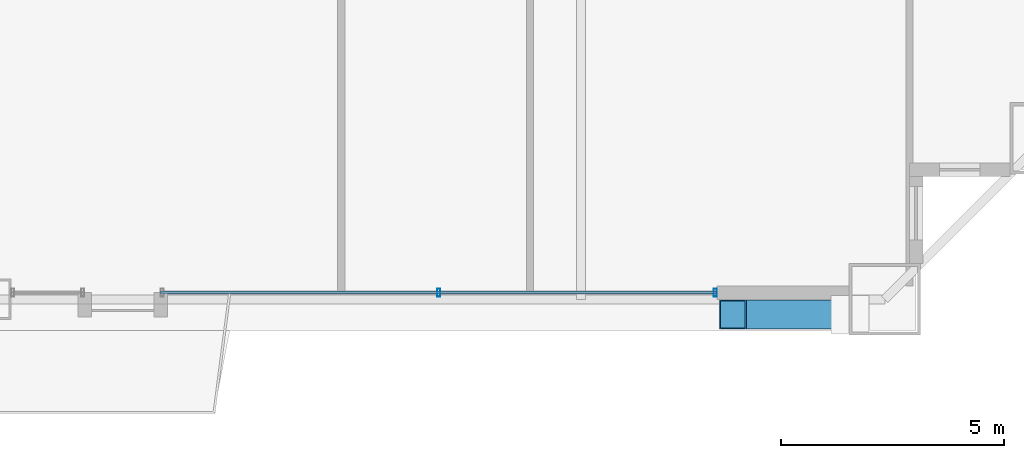
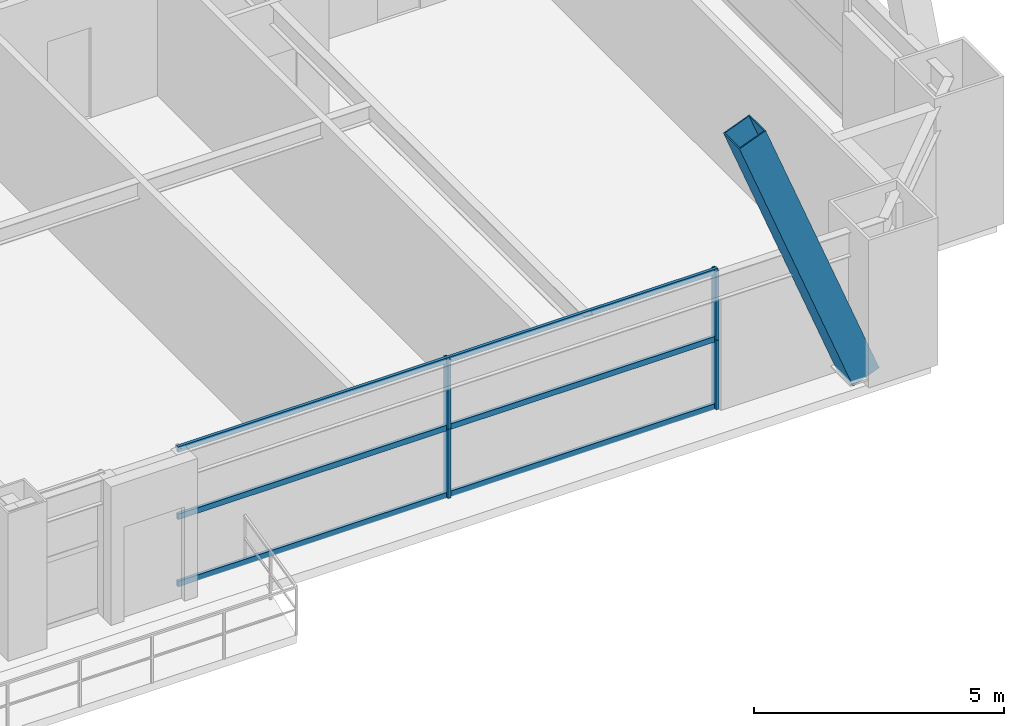
# One storey, part 15 of 41: 8 members, 1 element without a shape of its own.
"""IFC4 building model written with IfcOpenShell, lengths in metres."""

from ifc_helpers import new_model, si_unit, direction, frame, origin, origin_2d, place, context, subcontext, project, spatial, hollow_rectangle, extrude, source, transform, mapped, material, layer, layer_set, material_profile, profile_set, type_object, element, aggregate, save


model = new_model("IFC4")

# Units and contexts
model_context = context("Model", 3, precision=1e-05, world=origin(), true_north=direction((0.0, 1.0)))
body_context = subcontext(model_context, "Body", "Model", "MODEL_VIEW")
ifc_project = project(units=[si_unit("LENGTHUNIT", "METRE"), si_unit("AREAUNIT", "SQUARE_METRE"), si_unit("VOLUMEUNIT", "CUBIC_METRE"), si_unit("PLANEANGLEUNIT", "RADIAN"), si_unit("MASSUNIT", "GRAM", prefix="KILO"), si_unit("THERMODYNAMICTEMPERATUREUNIT", "KELVIN"), si_unit("POWERUNIT", "WATT")], contexts=[model_context])

# Site, building, storey
site_placement = place(None, origin())
site = spatial("IfcSite", under=ifc_project, at=site_placement, CompositionType="ELEMENT")
building_placement = place(site_placement, origin())
building = spatial("IfcBuilding", under=site, at=building_placement, Name="Yuzanri Waterfront Tower", CompositionType="ELEMENT")
storey_placement = place(building_placement, frame((0.0, 0.0, 152.39990234375)))
storey = spatial("IfcBuildingStorey", under=building, at=storey_placement, Name="L40", CompositionType="ELEMENT", Elevation=152.39990234375)

# Member
ifc_material_1 = material(Name="Steel Q420GJC", Category="steel")
ifc_material_profile_1 = material_profile(ifc_material_1, hollow_rectangle(XDim=0.64990234375, YDim=0.64990234375, WallThickness=0.028076171875, at=origin_2d()), Name="RHS 650x650x28")
ifc_profile_set_1 = profile_set([ifc_material_profile_1], Name="Steel Q420GJC")
member_type_1 = type_object("IfcMemberType", Name="Mega Brace Lower Q420GJC RHS 650x650x28", PredefinedType="BRACE", material=ifc_profile_set_1)
shared_shape_1 = source(origin(), body_context, "Body", "SweptSolid", [
    extrude(hollow_rectangle(XDim=0.64990234375, YDim=0.64990234375, WallThickness=0.028076171875, at=origin_2d()), origin(), (0.0, 0.0, 1.0), 7.19384765625),
])
member_1_placement = place(storey_placement, frame((56.219970703125, 1.860107421875, 0.18017578125), z_axis=(-0.36417668996, 0.0, 0.9313298763), x_axis=(0.0, -1.0, 0.0)))
element("IfcMember", 1, at=member_1_placement, inside=storey, type_object=member_type_1, Name="L40-L41 Perimeter Mega-Brace S-R", PredefinedType="BRACE", context=body_context, shape_type="MappedRepresentation", body=[
    mapped(shared_shape_1, transform((0.0, 0.0, 0.0), scale=1.0)),
])

# Curtain wall, members
ifc_material_2 = material(Name="Anodized Architectural Bronze", Category="metal")
ifc_layer = layer(ifc_material_2, 0.159912109375)
ifc_layer_set = layer_set([ifc_layer], Name="Anodized Architectural Bronze")
curtain_wall_type = type_object("IfcCurtainWallType", Name="Anodized Bronze Hotel Upper-Tier Solar-Control Unitized Curtain Wall 7800", PredefinedType="NOTDEFINED", material=ifc_layer_set)
curtain_wall_placement = place(storey_placement, origin())
curtain_wall = element("IfcCurtainWall", 2, at=curtain_wall_placement, inside=storey, type_object=curtain_wall_type, Name="L40 Curtain Wall CW-L40-SR2", PredefinedType="NOTDEFINED")
ifc_material_3 = material(Name="Anodized Architectural Bronze", Category="metal")
ifc_material_profile_2 = material_profile(ifc_material_3, hollow_rectangle(XDim=0.070068359375, YDim=0.179931640625, WallThickness=0.00390625, at=origin_2d()), Name="CWM 70x180")
ifc_profile_set_2 = profile_set([ifc_material_profile_2], Name="Anodized Architectural Bronze")
member_type_2 = type_object("IfcMemberType", Name="Anodized Bronze Standard Curtain-Wall Mullion 70x180", PredefinedType="MULLION", material=ifc_profile_set_2)
shared_shape_2 = source(origin(), body_context, "Body", "SweptSolid", [
    extrude(hollow_rectangle(XDim=0.070068359375, YDim=0.179931640625, WallThickness=0.00390625, at=origin_2d()), origin(), (0.0, 0.0, 1.0), 1.68798828125),
])
member_2_placement = place(storey_placement, frame((47.02392578125, 2.35009765625, 0.0), z_axis=(0.0, 0.0, 1.0), x_axis=(1.0, 0.0, 0.0)))
member_2 = element("IfcMember", 3, at=member_2_placement, type_object=member_type_2, Name="CW-L40-SR2 Lower Mullion 01", PredefinedType="MULLION", context=body_context, shape_type="MappedRepresentation", body=[
    mapped(shared_shape_2, transform((0.0, 0.0, 0.0), scale=1.0)),
])
member_3_placement = place(storey_placement, frame((47.02392578125, 2.35009765625, 1.692138671875), z_axis=(0.0, 0.0, 1.0), x_axis=(1.0, 0.0, 0.0)))
member_3 = element("IfcMember", 4, at=member_3_placement, type_object=member_type_2, Name="CW-L40-SR2 Upper Mullion 01", PredefinedType="MULLION", context=body_context, shape_type="MappedRepresentation", body=[
    mapped(shared_shape_2, transform((0.0, 0.0, 0.0), scale=1.0)),
])
member_4_placement = place(storey_placement, frame((53.2099609375, 2.35009765625, 0.0), z_axis=(0.0, 0.0, 1.0), x_axis=(1.0, 0.0, 0.0)))
member_4 = element("IfcMember", 5, at=member_4_placement, type_object=member_type_2, Name="CW-L40-SR2 Lower Mullion 02", PredefinedType="MULLION", context=body_context, shape_type="MappedRepresentation", body=[
    mapped(shared_shape_2, transform((0.0, 0.0, 0.0), scale=1.0)),
])
member_5_placement = place(storey_placement, frame((53.2099609375, 2.35009765625, 1.692138671875), z_axis=(0.0, 0.0, 1.0), x_axis=(1.0, 0.0, 0.0)))
member_5 = element("IfcMember", 6, at=member_5_placement, type_object=member_type_2, Name="CW-L40-SR2 Upper Mullion 02", PredefinedType="MULLION", context=body_context, shape_type="MappedRepresentation", body=[
    mapped(shared_shape_2, transform((0.0, 0.0, 0.0), scale=1.0)),
])
ifc_material_4 = material(Name="Anodized Architectural Bronze", Category="metal")
ifc_material_profile_3 = material_profile(ifc_material_4, hollow_rectangle(XDim=0.070068359375, YDim=0.135009765625, WallThickness=0.00341796875, at=origin_2d()), Name="CWT 70x135")
ifc_profile_set_3 = profile_set([ifc_material_profile_3], Name="Anodized Architectural Bronze")
member_type_3 = type_object("IfcMemberType", Name="Anodized Bronze Standard Curtain-Wall Transom 70x135", PredefinedType="USERDEFINED", material=ifc_profile_set_3)
shared_shape_3 = source(origin(), body_context, "Body", "SweptSolid", [
    extrude(hollow_rectangle(XDim=0.070068359375, YDim=0.135009765625, WallThickness=0.00341796875, at=origin_2d()), origin(), (0.0, 0.0, 1.0), 12.451904296875),
])
member_6_placement = place(storey_placement, frame((40.798095703125, 2.35009765625, 0.050048828125), z_axis=(1.0, 0.0, 0.0), x_axis=(0.0, 1.0, 0.0)))
member_6 = element("IfcMember", 7, at=member_6_placement, type_object=member_type_3, Name="CW-L40-SR2 Transom 1", ObjectType="TRANSOM", PredefinedType="USERDEFINED", context=body_context, shape_type="MappedRepresentation", body=[
    mapped(shared_shape_3, transform((0.0, 0.0, 0.0), scale=1.0)),
])
member_7_placement = place(storey_placement, frame((40.798095703125, 2.35009765625, 1.690185546875), z_axis=(1.0, 0.0, 0.0), x_axis=(0.0, 1.0, 0.0)))
member_7 = element("IfcMember", 8, at=member_7_placement, type_object=member_type_3, Name="CW-L40-SR2 Transom 2", ObjectType="TRANSOM", PredefinedType="USERDEFINED", context=body_context, shape_type="MappedRepresentation", body=[
    mapped(shared_shape_3, transform((0.0, 0.0, 0.0), scale=1.0)),
])
member_8_placement = place(storey_placement, frame((40.798095703125, 2.35009765625, 3.330078125), z_axis=(1.0, 0.0, 0.0), x_axis=(0.0, 1.0, 0.0)))
member_8 = element("IfcMember", 9, at=member_8_placement, type_object=member_type_3, Name="CW-L40-SR2 Transom 3", ObjectType="TRANSOM", PredefinedType="USERDEFINED", context=body_context, shape_type="MappedRepresentation", body=[
    mapped(shared_shape_3, transform((0.0, 0.0, 0.0), scale=1.0)),
])
aggregate(curtain_wall, [member_2, member_3, member_4, member_5, member_6, member_7, member_8])

save(model, "model.ifc")
